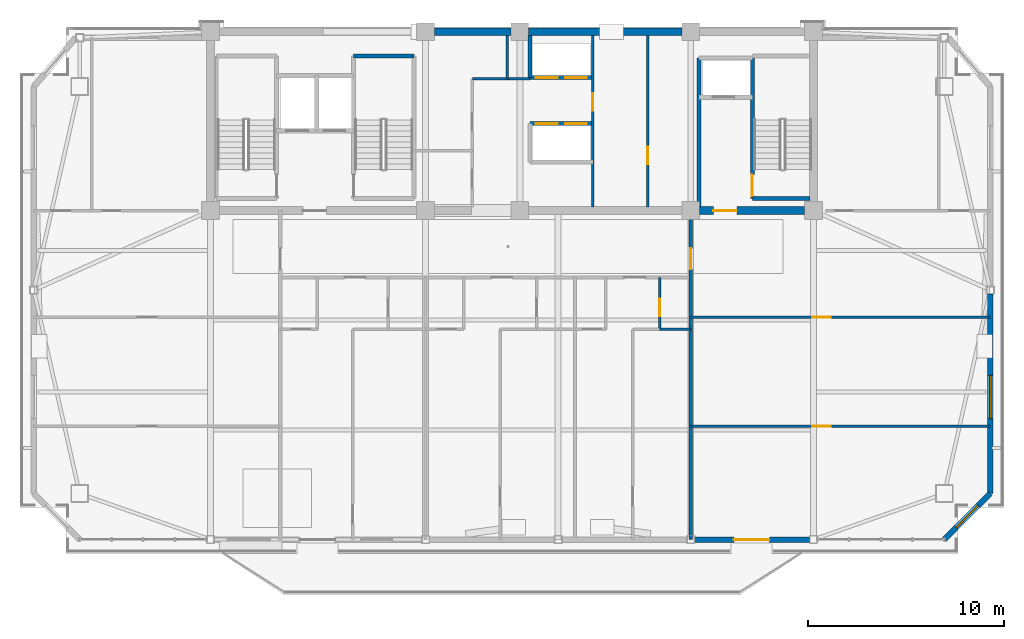
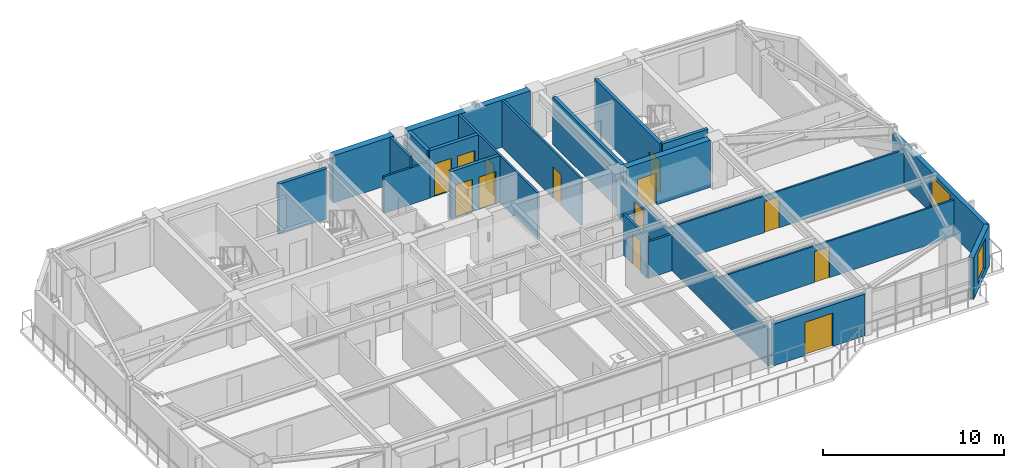
# One storey, part 8 of 14: 22 walls, 13 doors, 2 windows, 15 openings.
"""IFC4 building model written with IfcOpenShell, lengths in metres."""

from ifc_helpers import new_model, si_unit, direction, frame, frame_2d, origin, place, context, subcontext, project, spatial, rectangle, extrude, source, transform, mapped, material, layer, layer_set, type_object, element, fill, save


model = new_model("IFC4")

# Units and contexts
model_context = context("Model", 3, precision=1e-05, world=origin(), true_north=direction((0.0, 1.0)))
body_context = subcontext(model_context, "Body", "Model", "MODEL_VIEW")
ifc_project = project(units=[si_unit("LENGTHUNIT", "METRE"), si_unit("AREAUNIT", "SQUARE_METRE"), si_unit("VOLUMEUNIT", "CUBIC_METRE"), si_unit("PLANEANGLEUNIT", "RADIAN"), si_unit("MASSUNIT", "GRAM", prefix="KILO")], contexts=[model_context])

# Site, building, storey
site_placement = place(None, origin())
site = spatial("IfcSite", under=ifc_project, at=site_placement, CompositionType="ELEMENT")
building_placement = place(site_placement, origin())
building = spatial("IfcBuilding", under=site, at=building_placement, Name="Giltprow Tower", CompositionType="ELEMENT")
storey_placement = place(building_placement, frame((0.0, 0.0, 317.60009765625)))
storey = spatial("IfcBuildingStorey", under=building, at=storey_placement, Name="L82", CompositionType="ELEMENT", Elevation=317.60009765625)

# Wall, opening, window
ifc_material_1 = material(Name="Precast concrete C40", Category="concrete")
ifc_layer_1 = layer(ifc_material_1, 0.300048828125, Name="Precast concrete C40")
ifc_layer_set_1 = layer_set([ifc_layer_1], Name="Precast concrete C40")
wall_type_1 = type_object("IfcWallType", Name="EW-NOTCH-CHAMFER-300", PredefinedType="SOLIDWALL", material=ifc_layer_set_1)
wall_1_placement = place(storey_placement, frame((57.2080078125, 20.7041015625, 0.0), z_axis=(0.0, 0.0, 1.0), x_axis=(0.707106781187, 0.707106781187, 0.0)))
wall_1 = element("IfcWall", 1, at=wall_1_placement, inside=storey, type_object=wall_type_1, Name="L82 Corner Notch Wall SE", PredefinedType="SOLIDWALL", context=body_context, shape_type="SweptSolid", body=[
    extrude(rectangle(XDim=3.306396484375, YDim=0.300048828125, at=frame_2d((1.6533203125, 0.0))), origin(), (0.0, 0.0, 1.0), 2.81494140625),
])
opening_1_placement = place(wall_1_placement, frame((0.85302734375, 0.0, 0.449951171875)))
opening_1 = element("IfcOpeningElement", 2, at=opening_1_placement, cuts=wall_1, Name="Opening WN17", PredefinedType="OPENING", context=body_context, shape_type="SweptSolid", body=[
    extrude(rectangle(XDim=1.60009765625, YDim=2.0, at=frame_2d((0.800048828125, 1.0))), frame((0.0, 0.159912109375, 0.0), z_axis=(0.0, -1.0, 0.0), x_axis=(1.0, 0.0, 0.0)), (0.0, 0.0, 1.0), 0.320068359375),
])
ifc_material_2 = material(Name="Insulated glass", Category="glass")
window_type_1 = type_object("IfcWindowType", Name="WN-COR-1600x2000", PartitioningType="SINGLE_PANEL", PredefinedType="WINDOW", material=ifc_material_2)
shared_shape_1 = source(origin(), body_context, "Body", "SweptSolid", [
    extrude(rectangle(XDim=1.60009765625, YDim=2.0, at=frame_2d((0.800048828125, 1.0))), frame((0.0, 0.030029296875, 0.0), z_axis=(0.0, -1.0, 0.0), x_axis=(1.0, 0.0, 0.0)), (0.0, 0.0, 1.0), 0.06005859375),
])
window_1_placement = place(opening_1_placement, origin())
window_1 = element("IfcWindow", 3, at=window_1_placement, inside=storey, type_object=window_type_1, Name="L82 Corner Notch Window SE", OverallHeight=2.0, OverallWidth=1.60009765625, PartitioningType="SINGLE_PANEL", PredefinedType="WINDOW", context=body_context, shape_type="MappedRepresentation", body=[
    mapped(shared_shape_1, transform((0.0, 0.0, 0.0), x_axis=(1.0, 0.0, 0.0), y_axis=(0.0, 1.0, 0.0), z_axis=(0.0, 0.0, 1.0), scale=1.0)),
])
fill(opening_1, window_1)

# Wall, opening, door
ifc_layer_2 = layer(ifc_material_1, 0.280029296875, Name="Precast concrete C40")
ifc_layer_set_2 = layer_set([ifc_layer_2], Name="Precast concrete C40")
wall_type_2 = type_object("IfcWallType", Name="EW-TOW-BRONZE-280", PredefinedType="SOLIDWALL", material=ifc_layer_set_2)
wall_2_placement = place(storey_placement, frame((44.5, 20.7041015625, 0.0), z_axis=(0.0, 0.0, 1.0), x_axis=(1.0, 0.0, 0.0)))
wall_2 = element("IfcWall", 4, at=wall_2_placement, inside=storey, type_object=wall_type_2, Name="L82 South Expressed Frame Wall 5", PredefinedType="SOLIDWALL", context=body_context, shape_type="SweptSolid", body=[
    extrude(rectangle(XDim=5.85009765625, YDim=0.280029296875, at=frame_2d((2.925048828125, 0.0))), origin(), (0.0, 0.0, 1.0), 2.81494140625),
])
opening_2_placement = place(wall_2_placement, frame((2.0, 0.0, 0.0)))
opening_2 = element("IfcOpeningElement", 5, at=opening_2_placement, cuts=wall_2, Name="Opening ED25", PredefinedType="OPENING", context=body_context, shape_type="SweptSolid", body=[
    extrude(rectangle(XDim=1.800048828125, YDim=2.25, at=frame_2d((0.89990234375, 1.125))), frame((0.0, 0.14990234375, 0.0), z_axis=(0.0, -1.0, 0.0), x_axis=(1.0, 0.0, 0.0)), (0.0, 0.0, 1.0), 0.300048828125),
])
ifc_material_3 = material(Name="Anodized bronze and glass", Category="glass")
door_type_1 = type_object("IfcDoorType", Name="DR-BALC-SLIDE-1800", OperationType="SLIDING_TO_LEFT", PredefinedType="DOOR", material=ifc_material_3)
shared_shape_2 = source(origin(), body_context, "Body", "SweptSolid", [
    extrude(rectangle(XDim=1.800048828125, YDim=2.25, at=frame_2d((0.89990234375, 1.125))), frame((0.0, 0.02490234375, 0.0), z_axis=(0.0, -1.0, 0.0), x_axis=(1.0, 0.0, 0.0)), (0.0, 0.0, 1.0), 0.050048828125),
])
door_1_placement = place(opening_2_placement, origin())
door_1 = element("IfcDoor", 6, at=door_1_placement, inside=storey, type_object=door_type_1, Name="L82 Waterfront Balcony Sliding Door 2", OperationType="SLIDING_TO_LEFT", OverallHeight=2.25, OverallWidth=1.800048828125, PredefinedType="DOOR", context=body_context, shape_type="MappedRepresentation", body=[
    mapped(shared_shape_2, transform((0.0, 0.0, 0.0), x_axis=(1.0, 0.0, 0.0), y_axis=(0.0, 1.0, 0.0), z_axis=(0.0, 0.0, 1.0), scale=1.0)),
])
fill(opening_2, door_1)

# Wall, opening, window
wall_3_placement = place(storey_placement, frame((59.5458984375, 23.0419921875, 0.0), z_axis=(0.0, 0.0, 1.0), x_axis=(0.0, 1.0, 0.0)))
wall_3 = element("IfcWall", 7, at=wall_3_placement, inside=storey, type_object=wall_type_2, Name="L82 E Wing Masonry Wall 1", PredefinedType="SOLIDWALL", context=body_context, shape_type="SweptSolid", body=[
    extrude(rectangle(XDim=10.159912109375, YDim=0.280029296875, at=frame_2d((5.080078125, 0.0))), origin(), (0.0, 0.0, 1.0), 2.81494140625),
])
opening_3_placement = place(wall_3_placement, frame((3.820068359375, 0.0, 0.449951171875)))
opening_3 = element("IfcOpeningElement", 8, at=opening_3_placement, cuts=wall_3, Name="Opening WN27", PredefinedType="OPENING", context=body_context, shape_type="SweptSolid", body=[
    extrude(rectangle(XDim=2.199951171875, YDim=2.10009765625, at=frame_2d((1.10009765625, 1.050048828125))), frame((0.0, 0.14990234375, 0.0), z_axis=(0.0, -1.0, 0.0), x_axis=(1.0, 0.0, 0.0)), (0.0, 0.0, 1.0), 0.300048828125),
])
window_type_2 = type_object("IfcWindowType", Name="WN-RES-2200x2100", PartitioningType="TRIPLE_PANEL_VERTICAL", PredefinedType="WINDOW", material=ifc_material_2)
shared_shape_3 = source(origin(), body_context, "Body", "SweptSolid", [
    extrude(rectangle(XDim=2.199951171875, YDim=2.10009765625, at=frame_2d((1.10009765625, 1.050048828125))), frame((0.0, 0.030029296875, 0.0), z_axis=(0.0, -1.0, 0.0), x_axis=(1.0, 0.0, 0.0)), (0.0, 0.0, 1.0), 0.06005859375),
])
window_2_placement = place(opening_3_placement, origin())
window_2 = element("IfcWindow", 9, at=window_2_placement, inside=storey, type_object=window_type_2, Name="L82 E Wing Window 1-1", OverallHeight=2.10009765625, OverallWidth=2.199951171875, PartitioningType="SINGLE_PANEL", PredefinedType="WINDOW", context=body_context, shape_type="MappedRepresentation", body=[
    mapped(shared_shape_3, transform((0.0, 0.0, 0.0), x_axis=(1.0, 0.0, 0.0), y_axis=(0.0, 1.0, 0.0), z_axis=(0.0, 0.0, 1.0), scale=1.0)),
])
fill(opening_3, window_2)

# Wall, opening, door
ifc_material_4 = material(Name="Gypsum stud partition", Category="gypsum")
ifc_layer_3 = layer(ifc_material_4, 0.159912109375, Name="Gypsum stud partition")
ifc_layer_set_3 = layer_set([ifc_layer_3], Name="Gypsum stud partition")
wall_type_3 = type_object("IfcWallType", Name="IW-DEMISE-160", PredefinedType="PARTITIONING", material=ifc_layer_set_3)
wall_4_placement = place(storey_placement, frame((44.300048828125, 20.7041015625, 0.0), z_axis=(0.0, 0.0, 1.0), x_axis=(0.0, 1.0, 0.0)))
wall_4 = element("IfcWall", 10, at=wall_4_placement, inside=storey, type_object=wall_type_3, Name="L82 Apartment Party Wall 4", PredefinedType="PARTITIONING", context=body_context, shape_type="SweptSolid", body=[
    extrude(rectangle(XDim=16.745849609375, YDim=0.159912109375, at=frame_2d((8.373046875, 0.0))), origin(), (0.0, 0.0, 1.0), 2.469970703125),
])
opening_4_placement = place(wall_4_placement, frame((13.76611328125, 0.0, 0.0)))
opening_4 = element("IfcOpeningElement", 11, at=opening_4_placement, cuts=wall_4, Name="Opening ID31", PredefinedType="OPENING", context=body_context, shape_type="SweptSolid", body=[
    extrude(rectangle(XDim=1.050048828125, YDim=2.14990234375, at=frame_2d((0.52490234375, 1.074951171875))), frame((0.0, 0.08984375, 0.0), z_axis=(0.0, -1.0, 0.0), x_axis=(1.0, 0.0, 0.0)), (0.0, 0.0, 1.0), 0.179931640625),
])
ifc_material_5 = material(Name="Engineered timber", Category="wood")
door_type_2 = type_object("IfcDoorType", Name="DR-SUITE-1050", OperationType="SINGLE_SWING_LEFT", PredefinedType="DOOR", material=ifc_material_5)
shared_shape_4 = source(origin(), body_context, "Body", "SweptSolid", [
    extrude(rectangle(XDim=1.050048828125, YDim=2.14990234375, at=frame_2d((0.52490234375, 1.074951171875))), frame((0.0, 0.02490234375, 0.0), z_axis=(0.0, -1.0, 0.0), x_axis=(1.0, 0.0, 0.0)), (0.0, 0.0, 1.0), 0.050048828125),
])
door_2_placement = place(opening_4_placement, origin())
door_2 = element("IfcDoor", 12, at=door_2_placement, inside=storey, type_object=door_type_2, Name="L82 Silverware Vault Reading Lounge Corridor End Door", OperationType="SINGLE_SWING_RIGHT", OverallHeight=2.14990234375, OverallWidth=1.050048828125, PredefinedType="DOOR", context=body_context, shape_type="MappedRepresentation", body=[
    mapped(shared_shape_4, transform((0.0, 0.0, 0.0), x_axis=(1.0, 0.0, 0.0), y_axis=(0.0, 1.0, 0.0), z_axis=(0.0, 0.0, 1.0), scale=1.0)),
])
fill(opening_4, door_2)

ifc_layer_4 = layer(ifc_material_4, 0.1201171875, Name="Gypsum stud partition")
ifc_layer_set_4 = layer_set([ifc_layer_4], Name="Gypsum stud partition")
wall_type_4 = type_object("IfcWallType", Name="IW-ROOM-120", PredefinedType="PARTITIONING", material=ifc_layer_set_4)
wall_5_placement = place(storey_placement, frame((44.300048828125, 26.4619140625, 0.0), z_axis=(0.0, 0.0, 1.0), x_axis=(1.0, 0.0, 0.0)))
wall_5 = element("IfcWall", 13, at=wall_5_placement, inside=storey, type_object=wall_type_4, Name="L82 Special Split 1", PredefinedType="PARTITIONING", context=body_context, shape_type="SweptSolid", body=[
    extrude(rectangle(XDim=15.245849609375, YDim=0.1201171875, at=frame_2d((7.623046875, 0.0))), origin(), (0.0, 0.0, 1.0), 2.469970703125),
])
opening_5_placement = place(wall_5_placement, frame((6.18408203125, 0.0, 0.0)))
opening_5 = element("IfcOpeningElement", 14, at=opening_5_placement, cuts=wall_5, Name="Opening ID11", PredefinedType="OPENING", context=body_context, shape_type="SweptSolid", body=[
    extrude(rectangle(XDim=0.949951171875, YDim=2.10009765625, at=frame_2d((0.47509765625, 1.050048828125))), frame((0.0, 0.070068359375, 0.0), z_axis=(0.0, -1.0, 0.0), x_axis=(1.0, 0.0, 0.0)), (0.0, 0.0, 1.0), 0.14013671875),
])
door_type_3 = type_object("IfcDoorType", Name="DR-ROOM-950", OperationType="SINGLE_SWING_RIGHT", PredefinedType="DOOR", material=ifc_material_5)
shared_shape_5 = source(origin(), body_context, "Body", "SweptSolid", [
    extrude(rectangle(XDim=0.949951171875, YDim=2.10009765625, at=frame_2d((0.47509765625, 1.050048828125))), frame((0.0, 0.02490234375, 0.0), z_axis=(0.0, -1.0, 0.0), x_axis=(1.0, 0.0, 0.0)), (0.0, 0.0, 1.0), 0.050048828125),
])
door_3_placement = place(opening_5_placement, origin())
door_3 = element("IfcDoor", 15, at=door_3_placement, inside=storey, type_object=door_type_3, Name="L82 Silverware Vault Reading Lounge South Door", OperationType="SINGLE_SWING_RIGHT", OverallHeight=2.10009765625, OverallWidth=0.949951171875, PredefinedType="DOOR", context=body_context, shape_type="MappedRepresentation", body=[
    mapped(shared_shape_5, transform((0.0, 0.0, 0.0), x_axis=(1.0, 0.0, 0.0), y_axis=(0.0, 1.0, 0.0), z_axis=(0.0, 0.0, 1.0), scale=1.0)),
])
fill(opening_5, door_3)

wall_6_placement = place(storey_placement, frame((44.300048828125, 32.01904296875, 0.0), z_axis=(0.0, 0.0, 1.0), x_axis=(1.0, 0.0, 0.0)))
wall_6 = element("IfcWall", 16, at=wall_6_placement, inside=storey, type_object=wall_type_4, Name="L82 Special Split 2", PredefinedType="PARTITIONING", context=body_context, shape_type="SweptSolid", body=[
    extrude(rectangle(XDim=15.245849609375, YDim=0.1201171875, at=frame_2d((7.623046875, 0.0))), origin(), (0.0, 0.0, 1.0), 2.469970703125),
])
opening_6_placement = place(wall_6_placement, frame((6.18408203125, 0.0, 0.0)))
opening_6 = element("IfcOpeningElement", 17, at=opening_6_placement, cuts=wall_6, Name="Opening ID11", PredefinedType="OPENING", context=body_context, shape_type="SweptSolid", body=[
    extrude(rectangle(XDim=0.949951171875, YDim=2.10009765625, at=frame_2d((0.47509765625, 1.050048828125))), frame((0.0, 0.070068359375, 0.0), z_axis=(0.0, -1.0, 0.0), x_axis=(1.0, 0.0, 0.0)), (0.0, 0.0, 1.0), 0.14013671875),
])
door_4_placement = place(opening_6_placement, origin())
door_4 = element("IfcDoor", 18, at=door_4_placement, inside=storey, type_object=door_type_3, Name="L82 Silverware Vault Reading Lounge Mid Door", OperationType="SINGLE_SWING_LEFT", OverallHeight=2.10009765625, OverallWidth=0.949951171875, PredefinedType="DOOR", context=body_context, shape_type="MappedRepresentation", body=[
    mapped(shared_shape_5, transform((0.0, 0.0, 0.0), x_axis=(1.0, 0.0, 0.0), y_axis=(0.0, 1.0, 0.0), z_axis=(0.0, 0.0, 1.0), scale=1.0)),
])
fill(opening_6, door_4)

# Wall
ifc_material_6 = material(Name="Concrete C40", Category="concrete")
ifc_layer_5 = layer(ifc_material_6, 0.219970703125, Name="Concrete C40")
ifc_layer_set_5 = layer_set([ifc_layer_5], Name="Concrete C40")
wall_type_5 = type_object("IfcWallType", Name="IW-SHAFT-220", PredefinedType="SOLIDWALL", material=ifc_layer_set_5)
wall_7_placement = place(storey_placement, frame((44.719970703125, 37.6298828125, 0.0), z_axis=(0.0, 0.0, 1.0), x_axis=(0.0, 1.0, 0.0)))
element("IfcWall", 19, at=wall_7_placement, inside=storey, type_object=wall_type_5, Name="L82 East Firefighting Lobby West Wall", PredefinedType="SOLIDWALL", context=body_context, shape_type="SweptSolid", body=[
    extrude(rectangle(XDim=7.590087890625, YDim=0.219970703125, at=frame_2d((3.794921875, 0.0))), origin(), (0.0, 0.0, 1.0), 3.184814453125),
])

# Wall, openings, doors
wall_8_placement = place(storey_placement, frame((36.1201171875, 44.219970703125, 0.0), z_axis=(0.0, 0.0, 1.0), x_axis=(1.0, 0.0, 0.0)))
wall_8 = element("IfcWall", 20, at=wall_8_placement, inside=storey, type_object=wall_type_5, Name="L82 High-Rise Lift Shaft Front Wall N", PredefinedType="SOLIDWALL", context=body_context, shape_type="SweptSolid", body=[
    extrude(rectangle(XDim=3.199951171875, YDim=0.219970703125, at=frame_2d((1.60009765625, 0.0))), origin(), (0.0, 0.0, 1.0), 3.184814453125),
])
opening_7_placement = place(wall_8_placement, frame((0.300048828125, 0.0, 0.0)))
opening_7 = element("IfcOpeningElement", 21, at=opening_7_placement, cuts=wall_8, Name="Opening LD-11", PredefinedType="OPENING", context=body_context, shape_type="SweptSolid", body=[
    extrude(rectangle(XDim=1.10009765625, YDim=2.199951171875, at=frame_2d((0.550048828125, 1.10009765625))), frame((0.0, 0.119873046875, 0.0), z_axis=(0.0, -1.0, 0.0), x_axis=(1.0, 0.0, 0.0)), (0.0, 0.0, 1.0), 0.239990234375),
])
opening_8_placement = place(wall_8_placement, frame((1.7900390625, 0.0, 0.0)))
opening_8 = element("IfcOpeningElement", 22, at=opening_8_placement, cuts=wall_8, Name="Opening LD-11", PredefinedType="OPENING", context=body_context, shape_type="SweptSolid", body=[
    extrude(rectangle(XDim=1.10009765625, YDim=2.199951171875, at=frame_2d((0.550048828125, 1.10009765625))), frame((0.0, 0.119873046875, 0.0), z_axis=(0.0, -1.0, 0.0), x_axis=(1.0, 0.0, 0.0)), (0.0, 0.0, 1.0), 0.239990234375),
])
ifc_material_7 = material(Name="Stainless steel", Category="steel")
door_type_4 = type_object("IfcDoorType", Name="DR-LIFT-LD1100", OperationType="SLIDING_TO_LEFT", PredefinedType="DOOR", material=ifc_material_7)
shared_shape_6 = source(origin(), body_context, "Body", "SweptSolid", [
    extrude(rectangle(XDim=1.10009765625, YDim=2.199951171875, at=frame_2d((0.550048828125, 1.10009765625))), frame((0.0, 0.02490234375, 0.0), z_axis=(0.0, -1.0, 0.0), x_axis=(1.0, 0.0, 0.0)), (0.0, 0.0, 1.0), 0.050048828125),
])
door_5_placement = place(opening_7_placement, origin())
door_5 = element("IfcDoor", 23, at=door_5_placement, inside=storey, type_object=door_type_4, Name="L82 PL-H1 Landing Door", OperationType="SLIDING_TO_LEFT", OverallHeight=2.199951171875, OverallWidth=1.10009765625, PredefinedType="DOOR", context=body_context, shape_type="MappedRepresentation", body=[
    mapped(shared_shape_6, transform((0.0, 0.0, 0.0), x_axis=(1.0, 0.0, 0.0), y_axis=(0.0, 1.0, 0.0), z_axis=(0.0, 0.0, 1.0), scale=1.0)),
])
fill(opening_7, door_5)
door_6_placement = place(opening_8_placement, origin())
door_6 = element("IfcDoor", 24, at=door_6_placement, inside=storey, type_object=door_type_4, Name="L82 PL-H2 Landing Door", OperationType="SLIDING_TO_LEFT", OverallHeight=2.199951171875, OverallWidth=1.10009765625, PredefinedType="DOOR", context=body_context, shape_type="MappedRepresentation", body=[
    mapped(shared_shape_6, transform((0.0, 0.0, 0.0), x_axis=(1.0, 0.0, 0.0), y_axis=(0.0, 1.0, 0.0), z_axis=(0.0, 0.0, 1.0), scale=1.0)),
])
fill(opening_8, door_6)

wall_9_placement = place(storey_placement, frame((36.1201171875, 41.8798828125, 0.0), z_axis=(0.0, 0.0, 1.0), x_axis=(1.0, 0.0, 0.0)))
wall_9 = element("IfcWall", 25, at=wall_9_placement, inside=storey, type_object=wall_type_5, Name="L82 High-Rise Lift Shaft Front Wall S", PredefinedType="SOLIDWALL", context=body_context, shape_type="SweptSolid", body=[
    extrude(rectangle(XDim=3.199951171875, YDim=0.219970703125, at=frame_2d((1.60009765625, 0.0))), origin(), (0.0, 0.0, 1.0), 3.184814453125),
])
opening_9_placement = place(wall_9_placement, frame((0.300048828125, 0.0, 0.0)))
opening_9 = element("IfcOpeningElement", 26, at=opening_9_placement, cuts=wall_9, Name="Opening LD-11", PredefinedType="OPENING", context=body_context, shape_type="SweptSolid", body=[
    extrude(rectangle(XDim=1.10009765625, YDim=2.199951171875, at=frame_2d((0.550048828125, 1.10009765625))), frame((0.0, 0.119873046875, 0.0), z_axis=(0.0, -1.0, 0.0), x_axis=(1.0, 0.0, 0.0)), (0.0, 0.0, 1.0), 0.239990234375),
])
opening_10_placement = place(wall_9_placement, frame((1.7900390625, 0.0, 0.0)))
opening_10 = element("IfcOpeningElement", 27, at=opening_10_placement, cuts=wall_9, Name="Opening LD-11", PredefinedType="OPENING", context=body_context, shape_type="SweptSolid", body=[
    extrude(rectangle(XDim=1.10009765625, YDim=2.199951171875, at=frame_2d((0.550048828125, 1.10009765625))), frame((0.0, 0.119873046875, 0.0), z_axis=(0.0, -1.0, 0.0), x_axis=(1.0, 0.0, 0.0)), (0.0, 0.0, 1.0), 0.239990234375),
])
door_7_placement = place(opening_9_placement, origin())
door_7 = element("IfcDoor", 28, at=door_7_placement, inside=storey, type_object=door_type_4, Name="L82 PL-H3 Landing Door", OperationType="SLIDING_TO_LEFT", OverallHeight=2.199951171875, OverallWidth=1.10009765625, PredefinedType="DOOR", context=body_context, shape_type="MappedRepresentation", body=[
    mapped(shared_shape_6, transform((0.0, 0.0, 0.0), x_axis=(1.0, 0.0, 0.0), y_axis=(0.0, 1.0, 0.0), z_axis=(0.0, 0.0, 1.0), scale=1.0)),
])
fill(opening_9, door_7)
door_8_placement = place(opening_10_placement, origin())
door_8 = element("IfcDoor", 29, at=door_8_placement, inside=storey, type_object=door_type_4, Name="L82 PL-H4 Landing Door", OperationType="SLIDING_TO_LEFT", OverallHeight=2.199951171875, OverallWidth=1.10009765625, PredefinedType="DOOR", context=body_context, shape_type="MappedRepresentation", body=[
    mapped(shared_shape_6, transform((0.0, 0.0, 0.0), x_axis=(1.0, 0.0, 0.0), y_axis=(0.0, 1.0, 0.0), z_axis=(0.0, 0.0, 1.0), scale=1.0)),
])
fill(opening_10, door_8)

# Walls
wall_10_placement = place(storey_placement, frame((36.1201171875, 44.219970703125, 0.0), z_axis=(0.0, 0.0, 1.0), x_axis=(0.0, 1.0, 0.0)))
element("IfcWall", 30, at=wall_10_placement, inside=storey, type_object=wall_type_5, Name="L82 High-Rise North Lift West Closure", PredefinedType="SOLIDWALL", context=body_context, shape_type="SweptSolid", body=[
    extrude(rectangle(XDim=2.150146484375, YDim=0.219970703125, at=frame_2d((1.0751953125, 0.0))), origin(), (0.0, 0.0, 1.0), 3.184814453125),
])
ifc_layer_6 = layer(ifc_material_6, 0.199951171875, Name="Concrete C40")
ifc_layer_set_6 = layer_set([ifc_layer_6], Name="Concrete C40")
wall_type_6 = type_object("IfcWallType", Name="IW-STAIR-200", PredefinedType="SOLIDWALL", material=ifc_layer_set_6)
wall_11_placement = place(storey_placement, frame((27.139892578125, 45.320068359375, 0.0), z_axis=(0.0, 0.0, 1.0), x_axis=(1.0, 0.0, 0.0)))
element("IfcWall", 31, at=wall_11_placement, inside=storey, type_object=wall_type_6, Name="L82 Stair ST-2 North Bearing Wall", PredefinedType="SOLIDWALL", context=body_context, shape_type="SweptSolid", body=[
    extrude(rectangle(XDim=3.080078125, YDim=0.199951171875, at=frame_2d((1.5400390625, 0.0))), origin(), (0.0, 0.0, 1.0), 3.39990234375),
])

# Wall, opening, door
wall_12_placement = place(storey_placement, frame((47.43994140625, 38.070068359375, 0.0), z_axis=(0.0, 0.0, 1.0), x_axis=(0.0, 1.0, 0.0)))
wall_12 = element("IfcWall", 32, at=wall_12_placement, inside=storey, type_object=wall_type_6, Name="L82 Stair ST-3 West Bearing Wall", PredefinedType="SOLIDWALL", context=body_context, shape_type="SweptSolid", body=[
    extrude(rectangle(XDim=7.25, YDim=0.199951171875, at=frame_2d((3.625, 0.0))), origin(), (0.0, 0.0, 1.0), 3.39990234375),
])
opening_11_placement = place(wall_12_placement, frame((0.110107421875, 0.0, 0.0)))
opening_11 = element("IfcOpeningElement", 33, at=opening_11_placement, cuts=wall_12, Name="Opening ID33", PredefinedType="OPENING", context=body_context, shape_type="SweptSolid", body=[
    extrude(rectangle(XDim=1.10009765625, YDim=2.14990234375, at=frame_2d((0.550048828125, 1.074951171875))), frame((0.0, 0.10986328125, 0.0), z_axis=(0.0, -1.0, 0.0), x_axis=(1.0, 0.0, 0.0)), (0.0, 0.0, 1.0), 0.219970703125),
])
ifc_material_8 = material(Name="Steel fire leaf", Category="steel")
door_type_5 = type_object("IfcDoorType", Name="DR-STAIR-1100", OperationType="SINGLE_SWING_LEFT", PredefinedType="DOOR", material=ifc_material_8)
shared_shape_7 = source(origin(), body_context, "Body", "SweptSolid", [
    extrude(rectangle(XDim=1.10009765625, YDim=2.14990234375, at=frame_2d((0.550048828125, 1.074951171875))), frame((0.0, 0.02490234375, 0.0), z_axis=(0.0, -1.0, 0.0), x_axis=(1.0, 0.0, 0.0)), (0.0, 0.0, 1.0), 0.050048828125),
])
door_9_placement = place(opening_11_placement, origin())
door_9 = element("IfcDoor", 34, at=door_9_placement, inside=storey, type_object=door_type_5, Name="L82 Stair ST-3 Fire Door", OperationType="SINGLE_SWING_RIGHT", OverallHeight=2.14990234375, OverallWidth=1.10009765625, PredefinedType="DOOR", context=body_context, shape_type="MappedRepresentation", body=[
    mapped(shared_shape_7, transform((0.0, 0.0, 0.0), x_axis=(1.0, 0.0, 0.0), y_axis=(0.0, 1.0, 0.0), z_axis=(0.0, 0.0, 1.0), scale=1.0)),
])
fill(opening_11, door_9)

# Walls
wall_13_placement = place(storey_placement, frame((47.43994140625, 38.070068359375, 0.0), z_axis=(0.0, 0.0, 1.0), x_axis=(1.0, 0.0, 0.0)))
element("IfcWall", 35, at=wall_13_placement, inside=storey, type_object=wall_type_6, Name="L82 Stair ST-3 South Bearing Wall", PredefinedType="SOLIDWALL", context=body_context, shape_type="SweptSolid", body=[
    extrude(rectangle(XDim=2.93017578125, YDim=0.199951171875, at=frame_2d((1.465087890625, 0.0))), origin(), (0.0, 0.0, 1.0), 3.39990234375),
])
ifc_material_9 = material(Name="Concrete C30", Category="concrete")
ifc_layer_7 = layer(ifc_material_9, 0.1298828125, Name="Concrete C30")
ifc_layer_set_7 = layer_set([ifc_layer_7], Name="Concrete C30")
wall_type_7 = type_object("IfcWallType", Name="IW-WET-130", PredefinedType="PARTITIONING", material=ifc_layer_set_7)
wall_14_placement = place(storey_placement, frame((34.949951171875, 44.14990234375, 0.0), z_axis=(0.0, 0.0, 1.0), x_axis=(0.0, 1.0, 0.0)))
element("IfcWall", 36, at=wall_14_placement, inside=storey, type_object=wall_type_7, Name="L82 Reclaimed West Pocket Wall E", PredefinedType="PARTITIONING", context=body_context, shape_type="SweptSolid", body=[
    extrude(rectangle(XDim=2.22021484375, YDim=0.1298828125, at=frame_2d((1.110107421875, 0.0))), origin(), (0.0, 0.0, 1.0), 3.184814453125),
])
wall_15_placement = place(storey_placement, frame((33.179931640625, 44.14990234375, 0.0), z_axis=(0.0, 0.0, 1.0), x_axis=(1.0, 0.0, 0.0)))
element("IfcWall", 37, at=wall_15_placement, inside=storey, type_object=wall_type_7, Name="L82 Reclaimed West Pocket Wall S", PredefinedType="PARTITIONING", context=body_context, shape_type="SweptSolid", body=[
    extrude(rectangle(XDim=2.940185546875, YDim=0.1298828125, at=frame_2d((1.47021484375, 0.0))), origin(), (0.0, 0.0, 1.0), 2.469970703125),
])

# Wall, opening, door
wall_16_placement = place(storey_placement, frame((39.320068359375, 37.6298828125, 0.0), z_axis=(0.0, 0.0, 1.0), x_axis=(0.0, 1.0, 0.0)))
wall_16 = element("IfcWall", 38, at=wall_16_placement, inside=storey, type_object=wall_type_7, Name="L82 Reclaimed East Core Wall", PredefinedType="PARTITIONING", context=body_context, shape_type="SweptSolid", body=[
    extrude(rectangle(XDim=8.740234375, YDim=0.1298828125, at=frame_2d((4.3701171875, 0.0))), origin(), (0.0, 0.0, 1.0), 3.184814453125),
])
opening_12_placement = place(wall_16_placement, frame((4.889892578125, 0.0, 0.0)))
opening_12 = element("IfcOpeningElement", 39, at=opening_12_placement, cuts=wall_16, Name="Opening ID35", PredefinedType="OPENING", context=body_context, shape_type="SweptSolid", body=[
    extrude(rectangle(XDim=0.89990234375, YDim=2.10009765625, at=frame_2d((0.449951171875, 1.050048828125))), frame((0.0, 0.074951171875, 0.0), z_axis=(0.0, -1.0, 0.0), x_axis=(1.0, 0.0, 0.0)), (0.0, 0.0, 1.0), 0.14990234375),
])
door_type_6 = type_object("IfcDoorType", Name="DR-SHAFT-900", OperationType="SINGLE_SWING_LEFT", PredefinedType="DOOR", material=ifc_material_8)
shared_shape_8 = source(origin(), body_context, "Body", "SweptSolid", [
    extrude(rectangle(XDim=0.89990234375, YDim=2.10009765625, at=frame_2d((0.449951171875, 1.050048828125))), frame((0.0, 0.02490234375, 0.0), z_axis=(0.0, -1.0, 0.0), x_axis=(1.0, 0.0, 0.0)), (0.0, 0.0, 1.0), 0.050048828125),
])
door_10_placement = place(opening_12_placement, origin())
door_10 = element("IfcDoor", 40, at=door_10_placement, inside=storey, type_object=door_type_6, Name="L82 Core Housekeeping Vestibule Door", OperationType="SINGLE_SWING_LEFT", OverallHeight=2.10009765625, OverallWidth=0.89990234375, PredefinedType="DOOR", context=body_context, shape_type="MappedRepresentation", body=[
    mapped(shared_shape_8, transform((0.0, 0.0, 0.0), x_axis=(1.0, 0.0, 0.0), y_axis=(0.0, 1.0, 0.0), z_axis=(0.0, 0.0, 1.0), scale=1.0)),
])
fill(opening_12, door_10)

wall_17_placement = place(storey_placement, frame((42.10009765625, 37.6298828125, 0.0), z_axis=(0.0, 0.0, 1.0), x_axis=(0.0, 1.0, 0.0)))
wall_17 = element("IfcWall", 41, at=wall_17_placement, inside=storey, type_object=wall_type_7, Name="L82 East Core Vertical Divider", PredefinedType="PARTITIONING", context=body_context, shape_type="SweptSolid", body=[
    extrude(rectangle(XDim=8.740234375, YDim=0.1298828125, at=frame_2d((4.3701171875, 0.0))), origin(), (0.0, 0.0, 1.0), 3.184814453125),
])
opening_13_placement = place(wall_17_placement, frame((2.169921875, 0.0, 0.0)))
opening_13 = element("IfcOpeningElement", 42, at=opening_13_placement, cuts=wall_17, Name="Opening ID35", PredefinedType="OPENING", context=body_context, shape_type="SweptSolid", body=[
    extrude(rectangle(XDim=0.89990234375, YDim=2.10009765625, at=frame_2d((0.449951171875, 1.050048828125))), frame((0.0, 0.074951171875, 0.0), z_axis=(0.0, -1.0, 0.0), x_axis=(1.0, 0.0, 0.0)), (0.0, 0.0, 1.0), 0.14990234375),
])
door_11_placement = place(opening_13_placement, origin())
door_11 = element("IfcDoor", 43, at=door_11_placement, inside=storey, type_object=door_type_6, Name="L82 Core Wine Store Inner Door", OperationType="SINGLE_SWING_RIGHT", OverallHeight=2.10009765625, OverallWidth=0.89990234375, PredefinedType="DOOR", context=body_context, shape_type="MappedRepresentation", body=[
    mapped(shared_shape_8, transform((0.0, 0.0, 0.0), x_axis=(1.0, 0.0, 0.0), y_axis=(0.0, 1.0, 0.0), z_axis=(0.0, 0.0, 1.0), scale=1.0)),
])
fill(opening_13, door_11)

# Wall
wall_18_placement = place(storey_placement, frame((42.719970703125, 31.39990234375, 0.0), z_axis=(0.0, 0.0, 1.0), x_axis=(1.0, 0.0, 0.0)))
element("IfcWall", 44, at=wall_18_placement, inside=storey, type_object=wall_type_7, Name="L82 Unit 3 Bathroom South Wall", PredefinedType="PARTITIONING", context=body_context, shape_type="SweptSolid", body=[
    extrude(rectangle(XDim=1.580078125, YDim=0.1298828125, at=frame_2d((0.7900390625, 0.0))), origin(), (0.0, 0.0, 1.0), 2.469970703125),
])

# Wall, opening, door
wall_19_placement = place(storey_placement, frame((42.719970703125, 31.39990234375, 0.0), z_axis=(0.0, 0.0, 1.0), x_axis=(0.0, 1.0, 0.0)))
wall_19 = element("IfcWall", 45, at=wall_19_placement, inside=storey, type_object=wall_type_7, Name="L82 Unit 3 Bathroom West Wall", PredefinedType="PARTITIONING", context=body_context, shape_type="SweptSolid", body=[
    extrude(rectangle(XDim=2.650146484375, YDim=0.1298828125, at=frame_2d((1.3251953125, 0.0))), origin(), (0.0, 0.0, 1.0), 2.77001953125),
])
opening_14_placement = place(wall_19_placement, frame((0.669921875, 0.0, 0.0)))
opening_14 = element("IfcOpeningElement", 46, at=opening_14_placement, cuts=wall_19, Name="Opening ID15", PredefinedType="OPENING", context=body_context, shape_type="SweptSolid", body=[
    extrude(rectangle(XDim=0.89990234375, YDim=2.10009765625, at=frame_2d((0.449951171875, 1.050048828125))), frame((0.0, 0.074951171875, 0.0), z_axis=(0.0, -1.0, 0.0), x_axis=(1.0, 0.0, 0.0)), (0.0, 0.0, 1.0), 0.14990234375),
])
door_type_7 = type_object("IfcDoorType", Name="DR-WC-900", OperationType="SINGLE_SWING_LEFT", PredefinedType="DOOR", material=ifc_material_5)
door_12_placement = place(opening_14_placement, origin())
door_12 = element("IfcDoor", 47, at=door_12_placement, inside=storey, type_object=door_type_7, Name="L82 Unit 3 Bathroom Door", OperationType="SINGLE_SWING_RIGHT", OverallHeight=2.10009765625, OverallWidth=0.89990234375, PredefinedType="DOOR", context=body_context, shape_type="MappedRepresentation", body=[
    mapped(shared_shape_8, transform((0.0, 0.0, 0.0), x_axis=(1.0, 0.0, 0.0), y_axis=(0.0, 1.0, 0.0), z_axis=(0.0, 0.0, 1.0), scale=1.0)),
])
fill(opening_14, door_12)

# Walls
ifc_material_10 = material(Name="Concrete C45", Category="concrete")
ifc_layer_8 = layer(ifc_material_10, 0.39990234375, Name="Concrete C45")
ifc_layer_set_8 = layer_set([ifc_layer_8], Name="Concrete C45")
wall_type_8 = type_object("IfcWallType", Name="SW-EXT-400-C45", PredefinedType="SHEAR", material=ifc_layer_set_8)
wall_20_placement = place(storey_placement, frame((31.25, 46.550048828125, 0.0), z_axis=(0.0, 0.0, 1.0), x_axis=(1.0, 0.0, 0.0)))
element("IfcWall", 48, at=wall_20_placement, inside=storey, type_object=wall_type_8, Name="L82 North Rear Core Shear Wall 2", PredefinedType="SHEAR", context=body_context, shape_type="SweptSolid", body=[
    extrude(rectangle(XDim=3.89990234375, YDim=0.39990234375, at=frame_2d((1.949951171875, 0.0))), origin(), (0.0, 0.0, 1.0), 3.184814453125),
])
wall_21_placement = place(storey_placement, frame((36.050048828125, 46.550048828125, 0.0), z_axis=(0.0, 0.0, 1.0), x_axis=(1.0, 0.0, 0.0)))
element("IfcWall", 49, at=wall_21_placement, inside=storey, type_object=wall_type_8, Name="L82 North Rear Core Shear Wall 3", PredefinedType="SHEAR", context=body_context, shape_type="SweptSolid", body=[
    extrude(rectangle(XDim=7.800048828125, YDim=0.39990234375, at=frame_2d((3.89990234375, 0.0))), origin(), (0.0, 0.0, 1.0), 3.184814453125),
])

# Wall, opening, door
ifc_layer_9 = layer(ifc_material_10, 0.39990234375, Name="Concrete C45")
ifc_layer_set_9 = layer_set([ifc_layer_9], Name="Concrete C45")
wall_type_9 = type_object("IfcWallType", Name="SW-INT-400-C45", PredefinedType="SHEAR", material=ifc_layer_set_9)
wall_22_placement = place(storey_placement, frame((44.75, 37.449951171875, 0.0), z_axis=(0.0, 0.0, 1.0), x_axis=(1.0, 0.0, 0.0)))
wall_22 = element("IfcWall", 50, at=wall_22_placement, inside=storey, type_object=wall_type_9, Name="L82 South Rear Core Shear Wall East", PredefinedType="SHEAR", context=body_context, shape_type="SweptSolid", body=[
    extrude(rectangle(XDim=5.35009765625, YDim=0.39990234375, at=frame_2d((2.675048828125, 0.0))), origin(), (0.0, 0.0, 1.0), 3.184814453125),
])
opening_15_placement = place(wall_22_placement, frame((0.699951171875, 0.0, 0.0)))
opening_15 = element("IfcOpeningElement", 51, at=opening_15_placement, cuts=wall_22, Name="Opening ID19", PredefinedType="OPENING", context=body_context, shape_type="SweptSolid", body=[
    extrude(rectangle(XDim=1.199951171875, YDim=2.14990234375, at=frame_2d((0.60009765625, 1.074951171875))), frame((0.0, 0.2099609375, 0.0), z_axis=(0.0, -1.0, 0.0), x_axis=(1.0, 0.0, 0.0)), (0.0, 0.0, 1.0), 0.419921875),
])
door_type_8 = type_object("IfcDoorType", Name="DR-FFLOBBY-1200", OperationType="SINGLE_SWING_RIGHT", PredefinedType="DOOR", material=ifc_material_8)
shared_shape_9 = source(origin(), body_context, "Body", "SweptSolid", [
    extrude(rectangle(XDim=1.199951171875, YDim=2.14990234375, at=frame_2d((0.60009765625, 1.074951171875))), frame((0.0, 0.02490234375, 0.0), z_axis=(0.0, -1.0, 0.0), x_axis=(1.0, 0.0, 0.0)), (0.0, 0.0, 1.0), 0.050048828125),
])
door_13_placement = place(opening_15_placement, origin())
door_13 = element("IfcDoor", 52, at=door_13_placement, inside=storey, type_object=door_type_8, Name="L82 East Firefighting Lobby Entry Door", OperationType="SINGLE_SWING_RIGHT", OverallHeight=2.14990234375, OverallWidth=1.199951171875, PredefinedType="DOOR", context=body_context, shape_type="MappedRepresentation", body=[
    mapped(shared_shape_9, transform((0.0, 0.0, 0.0), x_axis=(1.0, 0.0, 0.0), y_axis=(0.0, 1.0, 0.0), z_axis=(0.0, 0.0, 1.0), scale=1.0)),
])
fill(opening_15, door_13)

save(model, "model.ifc")
